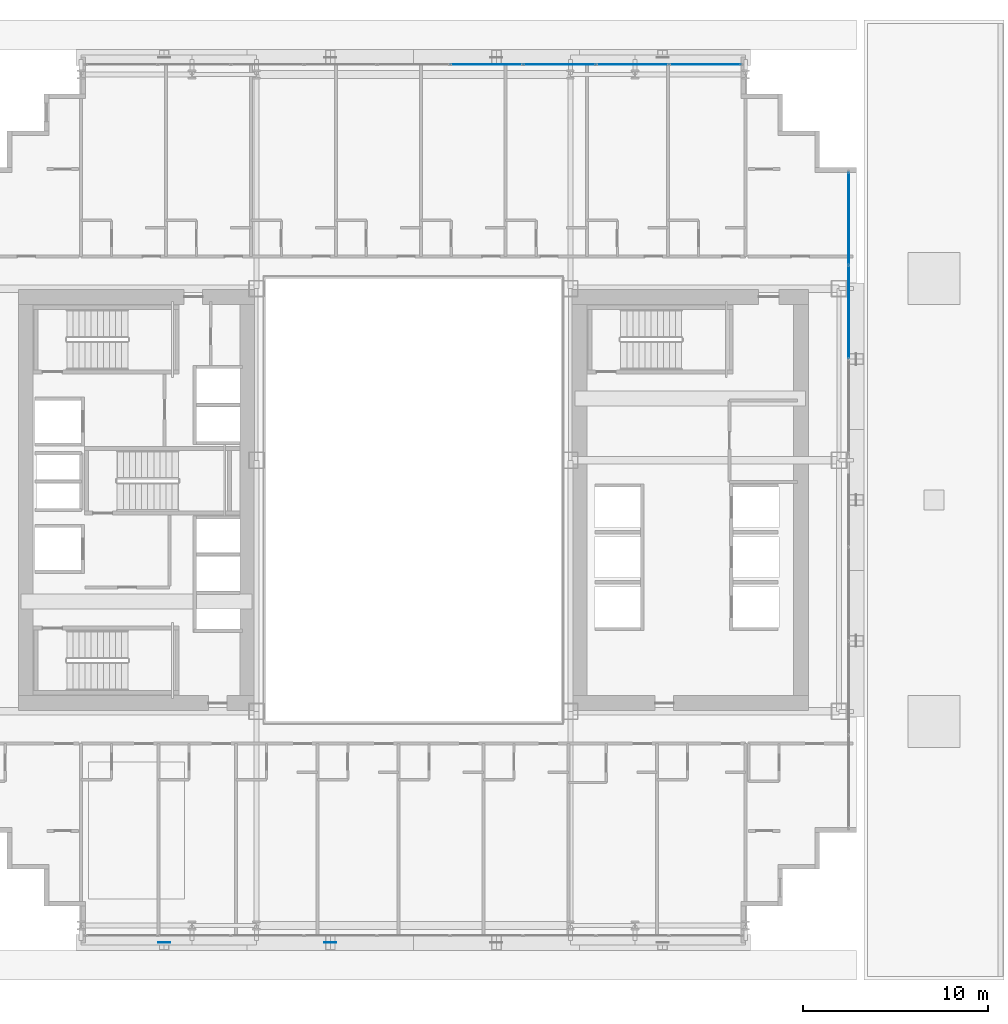
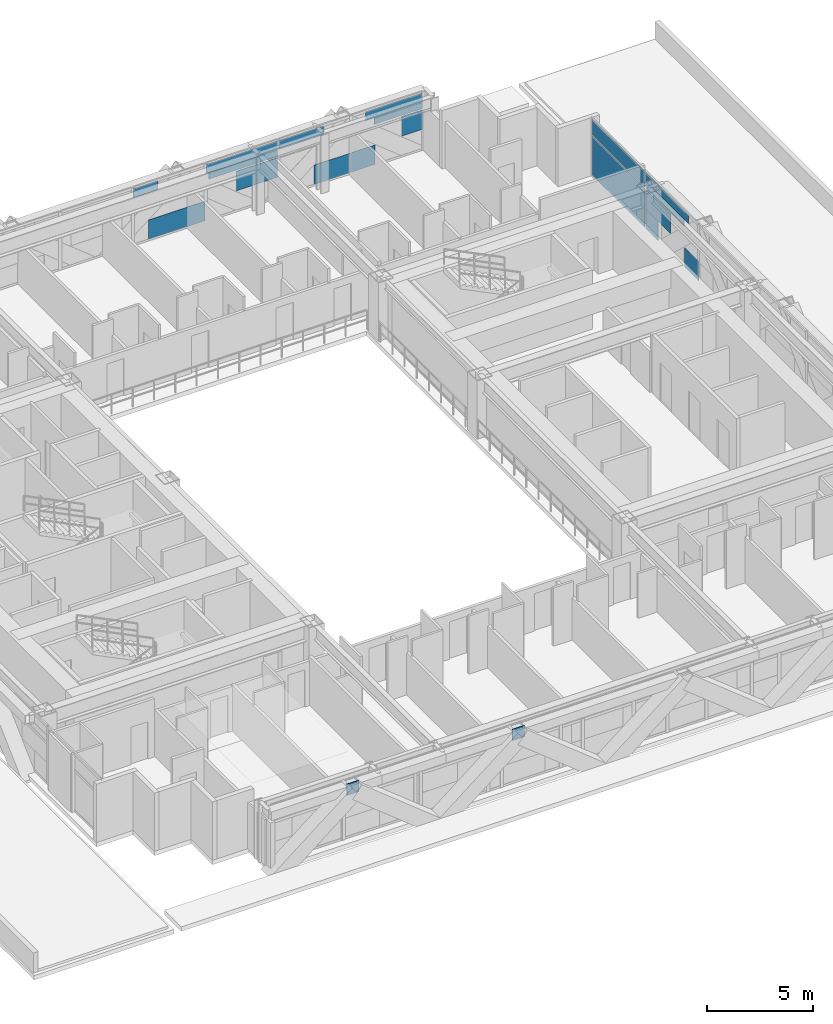
# One storey, part 23 of 35: 20 plates, 2 elements without a shape of their own.
"""IFC4 building model written with IfcOpenShell, lengths in metres."""

from ifc_helpers import new_model, si_unit, direction, frame, origin, origin_2d, place, context, subcontext, project, spatial, rectangle, extrude, source, transform, mapped, material, layer, layer_set, type_object, element, aggregate, save


model = new_model("IFC4")

# Units and contexts
model_context = context("Model", 3, precision=1e-05, world=origin(), true_north=direction((0.0, 1.0)))
body_context = subcontext(model_context, "Body", "Model", "MODEL_VIEW")
ifc_project = project(units=[si_unit("LENGTHUNIT", "METRE"), si_unit("AREAUNIT", "SQUARE_METRE"), si_unit("VOLUMEUNIT", "CUBIC_METRE"), si_unit("PLANEANGLEUNIT", "RADIAN"), si_unit("MASSUNIT", "GRAM", prefix="KILO")], contexts=[model_context])

# Site, building, storey
site_placement = place(None, origin())
site = spatial("IfcSite", under=ifc_project, at=site_placement, CompositionType="ELEMENT")
building_placement = place(site_placement, origin())
building = spatial("IfcBuilding", under=site, at=building_placement, Name="Ocotamira Hotel", CompositionType="ELEMENT")
storey_placement = place(building_placement, frame((0.0, 0.0, 34.800048828125)))
storey = spatial("IfcBuildingStorey", under=building, at=storey_placement, Name="L07", CompositionType="ELEMENT", Elevation=34.800048828125)

# Plates
ifc_material_1 = material(Name="Pale-metal coated steel ASTM A572 Grade 50", Category="steel")
ifc_layer_1 = layer(ifc_material_1, 0.0400390625)
ifc_layer_set_1 = layer_set([ifc_layer_1], Name="Pale-metal coated steel ASTM A572 Grade 50")
plate_type_1 = type_object("IfcPlateType", Name="PLT-GUSSET-40", PredefinedType="SHEET", material=ifc_layer_set_1)
shared_shape_1 = source(origin(), body_context, "Body", "SweptSolid", [
    extrude(rectangle(XDim=0.64990234375, YDim=0.0400390625, at=origin_2d()), origin(), (0.0, 0.0, 1.0), 0.64990234375),
])
for number, where, z_axis, x_axis, name in (
    (1, (18.5, 2.030029296875, 2.77490234375), (0.0, 0.0, 1.0), (1.0, 0.0, 0.0), "L07 Exoskeleton Diagrid S0.1 End Gusset B"),
    (2, (27.5, 2.030029296875, 2.77490234375), (0.0, 0.0, 1.0), (1.0, 0.0, 0.0), "L07 Exoskeleton Diagrid S1.1 End Gusset B"),
):
    element("IfcPlate", number, at=place(storey_placement, frame(where, z_axis=z_axis, x_axis=x_axis)), inside=storey, type_object=plate_type_1, Name=name, PredefinedType="SHEET", context=body_context, shape_type="MappedRepresentation", body=[
        mapped(shared_shape_1, transform((0.0, 0.0, 0.0), scale=1.0)),
    ])

# Curtain wall, plates
ifc_material_2 = material(Name="Anodised pale-metal aluminium and solar glass", Category="aluminium")
ifc_layer_2 = layer(ifc_material_2, 0.179931640625)
ifc_layer_set_2 = layer_set([ifc_layer_2], Name="Anodised pale-metal aluminium and solar glass")
curtain_wall_type = type_object("IfcCurtainWallType", Name="CW-SYS2-Z1", PredefinedType="NOTDEFINED", material=ifc_layer_set_2)
curtain_wall_1_placement = place(storey_placement, origin())
curtain_wall_1 = element("IfcCurtainWall", 3, at=curtain_wall_1_placement, inside=storey, type_object=curtain_wall_type, Name="L07 Curtain Wall CW-2 CW-L07-N", PredefinedType="NOTDEFINED")
ifc_material_3 = material(Name="Double-silver low-E insulated solar glass", Category="glass")
ifc_layer_3 = layer(ifc_material_3, 0.031982421875)
ifc_layer_set_3 = layer_set([ifc_layer_3], Name="Double-silver low-E insulated solar glass")
plate_type_2 = type_object("IfcPlateType", Name="CWP-VISION-32", PredefinedType="CURTAIN_PANEL", material=ifc_layer_set_3)
shared_shape_2 = source(origin(), body_context, "Body", "SweptSolid", [
    extrude(rectangle(XDim=1.11669921875, YDim=0.031982421875, at=origin_2d()), origin(), (0.0, 0.0, 1.0), 1.11865234375),
])
plate_1_placement = place(storey_placement, frame((49.16162109375, 49.580078125, 1.193603515625), z_axis=(0.0, 0.0, 1.0), x_axis=(1.0, 0.0, 0.0)))
plate_1 = element("IfcPlate", 4, at=plate_1_placement, type_object=plate_type_2, Name="CW-2 panel 9.1.2", PredefinedType="CURTAIN_PANEL", context=body_context, shape_type="MappedRepresentation", body=[
    mapped(shared_shape_2, transform((0.0, 0.0, 0.0), scale=1.0)),
])
shared_shape_3 = source(origin(), body_context, "Body", "SweptSolid", [
    extrude(rectangle(XDim=1.278076171875, YDim=0.031982421875, at=origin_2d()), origin(), (0.0, 0.0, 1.0), 1.11865234375),
])
plate_2_placement = place(storey_placement, frame((46.5234375, 49.580078125, 0.074951171875), z_axis=(0.0, 0.0, 1.0), x_axis=(1.0, 0.0, 0.0)))
plate_2 = element("IfcPlate", 5, at=plate_2_placement, type_object=plate_type_2, Name="CW-2 panel 9.1.1", PredefinedType="CURTAIN_PANEL", context=body_context, shape_type="MappedRepresentation", body=[
    mapped(shared_shape_3, transform((0.0, 0.0, 0.0), scale=1.0)),
])
shared_shape_4 = source(origin(), body_context, "Body", "SweptSolid", [
    extrude(rectangle(XDim=2.60888671875, YDim=0.031982421875, at=origin_2d()), origin(), (0.0, 0.0, 1.0), 0.345458984375),
])
plate_3_placement = place(storey_placement, frame((48.41552734375, 49.580078125, 2.38720703125), z_axis=(0.0, 0.0, 1.0), x_axis=(1.0, 0.0, 0.0)))
plate_3 = element("IfcPlate", 6, at=plate_3_placement, type_object=plate_type_2, Name="CW-2 panel 9.2.2", PredefinedType="CURTAIN_PANEL", context=body_context, shape_type="MappedRepresentation", body=[
    mapped(shared_shape_4, transform((0.0, 0.0, 0.0), scale=1.0)),
])
shared_shape_5 = source(origin(), body_context, "Body", "SweptSolid", [
    extrude(rectangle(XDim=3.079833984375, YDim=0.031982421875, at=origin_2d()), origin(), (0.0, 0.0, 1.0), 0.5107421875),
])
plate_4_placement = place(storey_placement, frame((48.179931640625, 49.580078125, 2.76416015625), z_axis=(0.0, 0.0, 1.0), x_axis=(1.0, 0.0, 0.0)))
plate_4 = element("IfcPlate", 7, at=plate_4_placement, type_object=plate_type_2, Name="CW-2 panel 9.2.1", PredefinedType="CURTAIN_PANEL", context=body_context, shape_type="MappedRepresentation", body=[
    mapped(shared_shape_5, transform((0.0, 0.0, 0.0), scale=1.0)),
])
shared_shape_6 = source(origin(), body_context, "Body", "SweptSolid", [
    extrude(rectangle(XDim=1.966796875, YDim=0.031982421875, at=origin_2d()), origin(), (0.0, 0.0, 1.0), 1.11865234375),
])
plate_5_placement = place(storey_placement, frame((44.821044921875, 49.580078125, 0.074951171875), z_axis=(0.0, 0.0, 1.0), x_axis=(1.0, 0.0, 0.0)))
plate_5 = element("IfcPlate", 8, at=plate_5_placement, type_object=plate_type_2, Name="CW-2 panel 8.1.1", PredefinedType="CURTAIN_PANEL", context=body_context, shape_type="MappedRepresentation", body=[
    mapped(shared_shape_6, transform((0.0, 0.0, 0.0), scale=1.0)),
])
shared_shape_7 = source(origin(), body_context, "Body", "SweptSolid", [
    extrude(rectangle(XDim=2.430908203125, YDim=0.031982421875, at=origin_2d()), origin(), (0.0, 0.0, 1.0), 0.5107421875),
])
plate_6_placement = place(storey_placement, frame((43.144287109375, 49.580078125, 2.76416015625), z_axis=(0.0, 0.0, 1.0), x_axis=(1.0, 0.0, 0.0)))
plate_6 = element("IfcPlate", 9, at=plate_6_placement, type_object=plate_type_2, Name="CW-2 panel 8.2.1", PredefinedType="CURTAIN_PANEL", context=body_context, shape_type="MappedRepresentation", body=[
    mapped(shared_shape_7, transform((0.0, 0.0, 0.0), scale=1.0)),
])
shared_shape_8 = source(origin(), body_context, "Body", "SweptSolid", [
    extrude(rectangle(XDim=2.24560546875, YDim=0.031982421875, at=origin_2d()), origin(), (0.0, 0.0, 1.0), 1.11865234375),
])
plate_7_placement = place(storey_placement, frame((40.72607421875, 49.580078125, 1.193603515625), z_axis=(0.0, 0.0, 1.0), x_axis=(1.0, 0.0, 0.0)))
plate_7 = element("IfcPlate", 10, at=plate_7_placement, type_object=plate_type_2, Name="CW-2 panel 7.1.1", PredefinedType="CURTAIN_PANEL", context=body_context, shape_type="MappedRepresentation", body=[
    mapped(shared_shape_8, transform((0.0, 0.0, 0.0), scale=1.0)),
])
shared_shape_9 = source(origin(), body_context, "Body", "SweptSolid", [
    extrude(rectangle(XDim=3.73779296875, YDim=0.031982421875, at=origin_2d()), origin(), (0.0, 0.0, 1.0), 0.376708984375),
])
plate_8_placement = place(storey_placement, frame((39.97998046875, 49.580078125, 2.3876953125), z_axis=(0.0, 0.0, 1.0), x_axis=(1.0, 0.0, 0.0)))
plate_8 = element("IfcPlate", 11, at=plate_8_placement, type_object=plate_type_2, Name="CW-2 panel 7.2.2", PredefinedType="CURTAIN_PANEL", context=body_context, shape_type="MappedRepresentation", body=[
    mapped(shared_shape_9, transform((0.0, 0.0, 0.0), scale=1.0)),
])
shared_shape_10 = source(origin(), body_context, "Body", "SweptSolid", [
    extrude(rectangle(XDim=3.87548828125, YDim=0.031982421875, at=origin_2d()), origin(), (0.0, 0.0, 1.0), 0.5107421875),
])
plate_9_placement = place(storey_placement, frame((39.9111328125, 49.580078125, 2.76416015625), z_axis=(0.0, 0.0, 1.0), x_axis=(1.0, 0.0, 0.0)))
plate_9 = element("IfcPlate", 12, at=plate_9_placement, type_object=plate_type_2, Name="CW-2 panel 7.2.1", PredefinedType="CURTAIN_PANEL", context=body_context, shape_type="MappedRepresentation", body=[
    mapped(shared_shape_10, transform((0.0, 0.0, 0.0), scale=1.0)),
])
shared_shape_11 = source(origin(), body_context, "Body", "SweptSolid", [
    extrude(rectangle(XDim=3.055908203125, YDim=0.031982421875, at=origin_2d()), origin(), (0.0, 0.0, 1.0), 1.11865234375),
])
plate_10_placement = place(storey_placement, frame((36.365478515625, 49.580078125, 0.074951171875), z_axis=(0.0, 0.0, 1.0), x_axis=(1.0, 0.0, 0.0)))
plate_10 = element("IfcPlate", 13, at=plate_10_placement, type_object=plate_type_2, Name="CW-2 panel 6.1.1", PredefinedType="CURTAIN_PANEL", context=body_context, shape_type="MappedRepresentation", body=[
    mapped(shared_shape_11, transform((0.0, 0.0, 0.0), scale=1.0)),
])
shared_shape_12 = source(origin(), body_context, "Body", "SweptSolid", [
    extrude(rectangle(XDim=1.34228515625, YDim=0.031982421875, at=origin_2d()), origin(), (0.0, 0.0, 1.0), 0.5107421875),
])
plate_11_placement = place(storey_placement, frame((34.68896484375, 49.580078125, 2.76416015625), z_axis=(0.0, 0.0, 1.0), x_axis=(1.0, 0.0, 0.0)))
plate_11 = element("IfcPlate", 14, at=plate_11_placement, type_object=plate_type_2, Name="CW-2 panel 6.2.1", PredefinedType="CURTAIN_PANEL", context=body_context, shape_type="MappedRepresentation", body=[
    mapped(shared_shape_12, transform((0.0, 0.0, 0.0), scale=1.0)),
])
aggregate(curtain_wall_1, [plate_10, plate_11, plate_7, plate_9, plate_8, plate_5, plate_6, plate_2, plate_1, plate_4, plate_3])

curtain_wall_2_placement = place(storey_placement, origin())
curtain_wall_2 = element("IfcCurtainWall", 15, at=curtain_wall_2_placement, inside=storey, type_object=curtain_wall_type, Name="L07 Curtain Wall CW-2 CW-L07-E", PredefinedType="NOTDEFINED")
shared_shape_13 = source(origin(), body_context, "Body", "SweptSolid", [
    extrude(rectangle(XDim=4.9658203125, YDim=0.031982421875, at=origin_2d()), origin(), (0.0, 0.0, 1.0), 2.237548828125),
])
plate_12_placement = place(storey_placement, frame((55.580078125, 41.237060546875, 0.07470703125), z_axis=(0.0, 0.0, 1.0), x_axis=(0.0, 1.0, 0.0)))
plate_12 = element("IfcPlate", 16, at=plate_12_placement, type_object=plate_type_2, Name="CW-2 panel 7.1", PredefinedType="CURTAIN_PANEL", context=body_context, shape_type="MappedRepresentation", body=[
    mapped(shared_shape_13, transform((0.0, 0.0, 0.0), scale=1.0)),
])
shared_shape_14 = source(origin(), body_context, "Body", "SweptSolid", [
    extrude(rectangle(XDim=4.9658203125, YDim=0.031982421875, at=origin_2d()), origin(), (0.0, 0.0, 1.0), 0.887451171875),
])
plate_13_placement = place(storey_placement, frame((55.580078125, 41.237060546875, 2.3876953125), z_axis=(0.0, 0.0, 1.0), x_axis=(0.0, 1.0, 0.0)))
plate_13 = element("IfcPlate", 17, at=plate_13_placement, type_object=plate_type_2, Name="CW-2 panel 7.2", PredefinedType="CURTAIN_PANEL", context=body_context, shape_type="MappedRepresentation", body=[
    mapped(shared_shape_14, transform((0.0, 0.0, 0.0), scale=1.0)),
])
shared_shape_15 = source(origin(), body_context, "Body", "SweptSolid", [
    extrude(rectangle(XDim=1.177978515625, YDim=0.031982421875, at=origin_2d()), origin(), (0.0, 0.0, 1.0), 1.11865234375),
])
plate_14_placement = place(storey_placement, frame((55.580078125, 38.085205078125, 0.074951171875), z_axis=(0.0, 0.0, 1.0), x_axis=(0.0, 1.0, 0.0)))
plate_14 = element("IfcPlate", 18, at=plate_14_placement, type_object=plate_type_2, Name="CW-2 panel 6.1.3", PredefinedType="CURTAIN_PANEL", context=body_context, shape_type="MappedRepresentation", body=[
    mapped(shared_shape_15, transform((0.0, 0.0, 0.0), scale=1.0)),
])
shared_shape_16 = source(origin(), body_context, "Body", "SweptSolid", [
    extrude(rectangle(XDim=2.364013671875, YDim=0.031982421875, at=origin_2d()), origin(), (0.0, 0.0, 1.0), 1.11865234375),
])
plate_15_placement = place(storey_placement, frame((55.580078125, 37.4921875, 1.193603515625), z_axis=(0.0, 0.0, 1.0), x_axis=(0.0, 1.0, 0.0)))
plate_15 = element("IfcPlate", 19, at=plate_15_placement, type_object=plate_type_2, Name="CW-2 panel 6.1.2", PredefinedType="CURTAIN_PANEL", context=body_context, shape_type="MappedRepresentation", body=[
    mapped(shared_shape_16, transform((0.0, 0.0, 0.0), scale=1.0)),
])
shared_shape_17 = source(origin(), body_context, "Body", "SweptSolid", [
    extrude(rectangle(XDim=1.330078125, YDim=0.031982421875, at=origin_2d()), origin(), (0.0, 0.0, 1.0), 1.11865234375),
])
plate_16_placement = place(storey_placement, frame((55.580078125, 34.33349609375, 0.074951171875), z_axis=(0.0, 0.0, 1.0), x_axis=(0.0, 1.0, 0.0)))
plate_16 = element("IfcPlate", 20, at=plate_16_placement, type_object=plate_type_2, Name="CW-2 panel 6.1.1", PredefinedType="CURTAIN_PANEL", context=body_context, shape_type="MappedRepresentation", body=[
    mapped(shared_shape_17, transform((0.0, 0.0, 0.0), scale=1.0)),
])
shared_shape_18 = source(origin(), body_context, "Body", "SweptSolid", [
    extrude(rectangle(XDim=3.629638671875, YDim=0.031982421875, at=origin_2d()), origin(), (0.0, 0.0, 1.0), 0.367919921875),
])
plate_17_placement = place(storey_placement, frame((55.580078125, 36.859375, 2.3876953125), z_axis=(0.0, 0.0, 1.0), x_axis=(0.0, 1.0, 0.0)))
plate_17 = element("IfcPlate", 21, at=plate_17_placement, type_object=plate_type_2, Name="CW-2 panel 6.2.2", PredefinedType="CURTAIN_PANEL", context=body_context, shape_type="MappedRepresentation", body=[
    mapped(shared_shape_18, transform((0.0, 0.0, 0.0), scale=1.0)),
])
shared_shape_19 = source(origin(), body_context, "Body", "SweptSolid", [
    extrude(rectangle(XDim=4.05615234375, YDim=0.031982421875, at=origin_2d()), origin(), (0.0, 0.0, 1.0), 0.485107421875),
])
plate_18_placement = place(storey_placement, frame((55.580078125, 36.646240234375, 2.7900390625), z_axis=(0.0, 0.0, 1.0), x_axis=(0.0, 1.0, 0.0)))
plate_18 = element("IfcPlate", 22, at=plate_18_placement, type_object=plate_type_2, Name="CW-2 panel 6.2.1", PredefinedType="CURTAIN_PANEL", context=body_context, shape_type="MappedRepresentation", body=[
    mapped(shared_shape_19, transform((0.0, 0.0, 0.0), scale=1.0)),
])
aggregate(curtain_wall_2, [plate_16, plate_15, plate_14, plate_18, plate_17, plate_12, plate_13])

save(model, "model.ifc")
